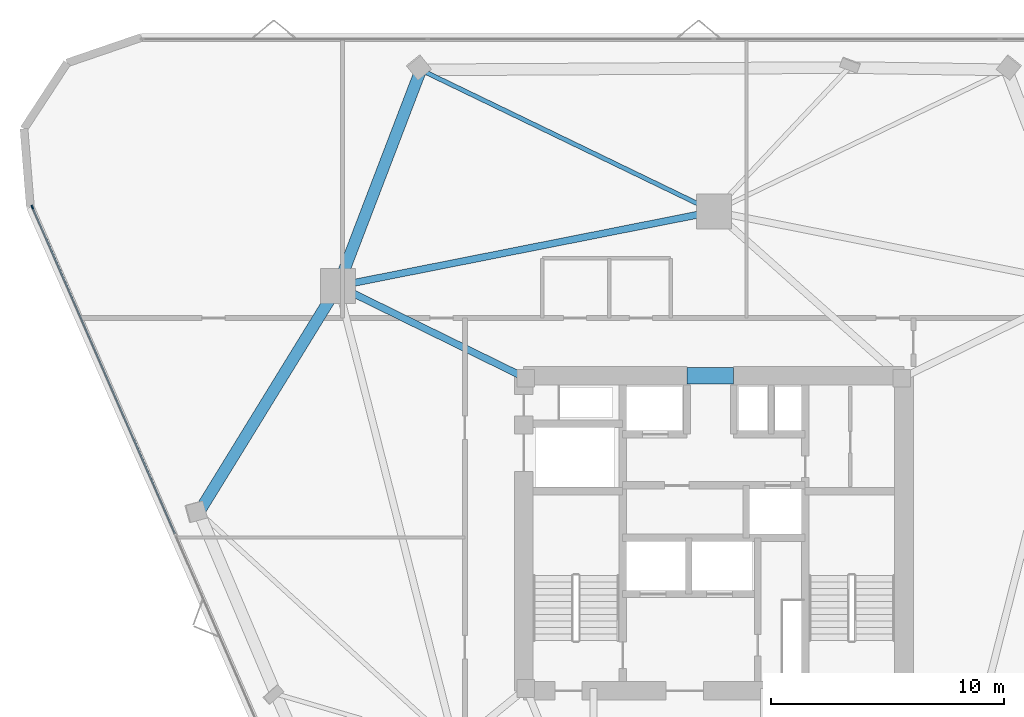
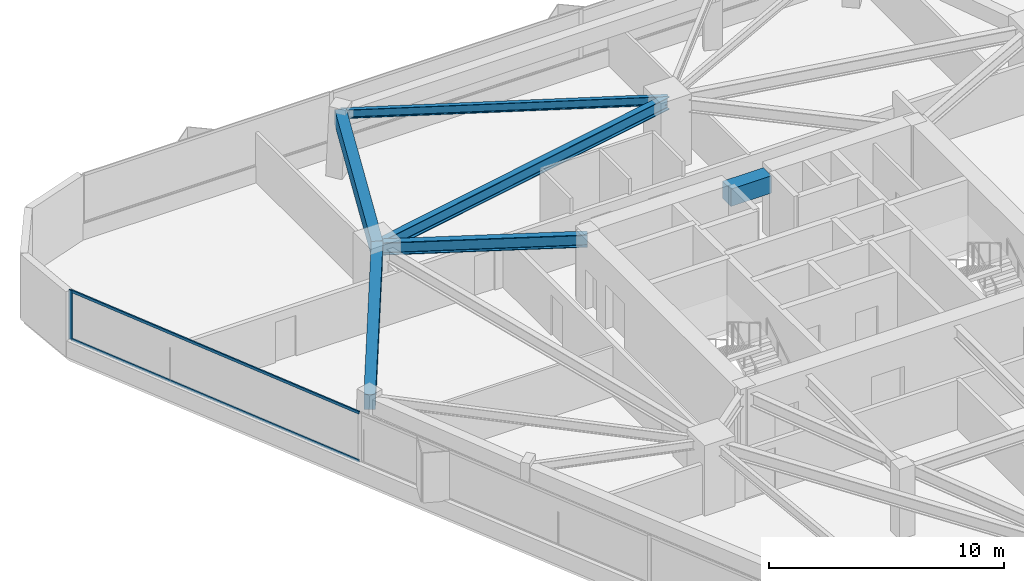
# One storey, part 5 of 14: 6 beams, 3 members, 1 element without a shape of its own.
"""IFC4 building model written with IfcOpenShell, lengths in metres."""

from ifc_helpers import new_model, si_unit, direction, frame, origin, origin_2d, place, context, subcontext, project, spatial, rectangle, i_section, extrude, material, layer, layer_set, material_profile, profile_set, type_object, element, aggregate, save


model = new_model("IFC4")

# Units and contexts
model_context = context("Model", 3, precision=1e-05, world=origin(), true_north=direction((0.0, 1.0)))
body_context = subcontext(model_context, "Body", "Model", "MODEL_VIEW")
ifc_project = project(units=[si_unit("LENGTHUNIT", "METRE"), si_unit("AREAUNIT", "SQUARE_METRE"), si_unit("VOLUMEUNIT", "CUBIC_METRE"), si_unit("PLANEANGLEUNIT", "RADIAN"), si_unit("MASSUNIT", "GRAM", prefix="KILO")], contexts=[model_context])

# Site, building, storey
site_placement = place(None, origin())
site = spatial("IfcSite", under=ifc_project, at=site_placement, CompositionType="ELEMENT")
building_placement = place(site_placement, origin())
building = spatial("IfcBuilding", under=site, at=building_placement, Name="Talyreon Biosciences Tower", CompositionType="ELEMENT")
storey_placement = place(building_placement, frame((0.0, 0.0, 130.85009765625)))
storey = spatial("IfcBuildingStorey", under=building, at=storey_placement, Name="L34", CompositionType="ELEMENT", Elevation=130.85009765625)

# Curtain wall, members
ifc_material_1 = material(Name="Thermally broken aluminium and low-E glazing", Category="aluminium")
ifc_layer = layer(ifc_material_1, 0.18505859375)
ifc_layer_set = layer_set([ifc_layer], Name="Thermally broken aluminium and low-E glazing")
curtain_wall_type = type_object("IfcCurtainWallType", Name="CurtainWall_Zone3Bioprocess", PredefinedType="NOTDEFINED", material=ifc_layer_set)
curtain_wall_placement = place(storey_placement, origin())
curtain_wall = element("IfcCurtainWall", 1, at=curtain_wall_placement, inside=storey, type_object=curtain_wall_type, Name="L34 Unitised Curtain Wall FCW-L34-00", PredefinedType="NOTDEFINED")
ifc_material_2 = material(Name="Anodised thermally broken aluminium", Category="aluminium")
ifc_material_profile_1 = material_profile(ifc_material_2, rectangle(XDim=0.06494140625, YDim=0.179931640625, at=origin_2d()), Name="ALUM MULLION 65x180")
ifc_profile_set_1 = profile_set([ifc_material_profile_1], Name="Anodised thermally broken aluminium")
member_type_1 = type_object("IfcMemberType", Name="CWMullion_65x180", PredefinedType="MULLION", material=ifc_profile_set_1)
member_1_placement = place(storey_placement, frame((36.797607421875, 81.974853515625, 0.809814453125), z_axis=(0.0, 0.0, 1.0), x_axis=(-0.916489607057, -0.400058495919, 0.0)))
member_1 = element("IfcMember", 2, at=member_1_placement, type_object=member_type_1, Name="CW4 mullion 5", PredefinedType="MULLION", context=body_context, shape_type="SweptSolid", body=[
    extrude(rectangle(XDim=0.06494140625, YDim=0.179931640625, at=origin_2d()), origin(), (0.0, 0.0, 1.0), 2.565185546875),
])
ifc_material_profile_2 = material_profile(ifc_material_2, rectangle(XDim=0.06494140625, YDim=0.139892578125, at=origin_2d()), Name="ALUM TRANSOM 65x140")
ifc_profile_set_2 = profile_set([ifc_material_profile_2], Name="Anodised thermally broken aluminium")
member_type_2 = type_object("IfcMemberType", Name="CWTransom_65x140", PredefinedType="USERDEFINED", material=ifc_profile_set_2)
member_2_placement = place(storey_placement, frame((42.90234375, 67.989501953125, 0.84228515625), z_axis=(-0.400060037809, 0.916488934002, 0.0), x_axis=(-0.916488934002, -0.400060037809, 0.0)))
member_2 = element("IfcMember", 3, at=member_2_placement, type_object=member_type_2, Name="CW4 transom 4.1", ObjectType="TRANSOM", PredefinedType="USERDEFINED", context=body_context, shape_type="SweptSolid", body=[
    extrude(rectangle(XDim=0.06494140625, YDim=0.139892578125, at=origin_2d()), origin(), (0.0, 0.0, 1.0), 15.227294921875),
])
member_3_placement = place(storey_placement, frame((42.90234375, 67.989501953125, 3.34228515625), z_axis=(-0.400060037809, 0.916488934002, 0.0), x_axis=(-0.916488934002, -0.400060037809, 0.0)))
member_3 = element("IfcMember", 4, at=member_3_placement, type_object=member_type_2, Name="CW4 transom 4.2", ObjectType="TRANSOM", PredefinedType="USERDEFINED", context=body_context, shape_type="SweptSolid", body=[
    extrude(rectangle(XDim=0.06494140625, YDim=0.139892578125, at=origin_2d()), origin(), (0.0, 0.0, 1.0), 15.227294921875),
])
aggregate(curtain_wall, [member_1, member_2, member_3])

# Beams
ifc_material_3 = material(Name="Concrete C60/75", Category="concrete")
ifc_material_profile_3 = material_profile(ifc_material_3, rectangle(XDim=0.699951171875, YDim=0.89990234375, at=origin_2d()), Name="RCB 700x900")
ifc_profile_set_3 = profile_set([ifc_material_profile_3], Name="Concrete C60/75")
beam_type_1 = type_object("IfcBeamType", Name="CoreCouplingLintel_700x900", PredefinedType="LINTEL", material=ifc_profile_set_3)
beam_1_placement = place(storey_placement, frame((64.85009765625, 74.75, 2.9248046875), z_axis=(1.0, 0.0, 0.0), x_axis=(0.0, 1.0, 0.0)))
element("IfcBeam", 5, at=beam_1_placement, inside=storey, type_object=beam_type_1, Name="L34 Core Coupling Lintel", PredefinedType="LINTEL", context=body_context, shape_type="SweptSolid", body=[
    extrude(rectangle(XDim=0.699951171875, YDim=0.89990234375, at=origin_2d()), origin(), (0.0, 0.0, 1.0), 2.0),
])
ifc_material_4 = material(Name="Precast concrete C45/55", Category="concrete")
ifc_material_profile_4 = material_profile(ifc_material_4, rectangle(XDim=0.5, YDim=0.780029296875, at=origin_2d()), Name="RCB 500x780")
ifc_profile_set_4 = profile_set([ifc_material_profile_4], Name="Precast concrete C45/55")
beam_type_2 = type_object("IfcBeamType", Name="ExpressedSpandrel_500x780", PredefinedType="SPANDREL", material=ifc_profile_set_4)
beam_2_placement = place(storey_placement, frame((53.444091796875, 87.8583984375, 2.98486328125), z_axis=(-0.357655490043, -0.933853602254, 0.0), x_axis=(0.933853602254, -0.357655490043, 0.0)))
element("IfcBeam", 6, at=beam_2_placement, inside=storey, type_object=beam_type_2, Name="L34 Expressed Horizontal Concrete Spandrel 08", PredefinedType="SPANDREL", context=body_context, shape_type="SweptSolid", body=[
    extrude(rectangle(XDim=0.5, YDim=0.780029296875, at=origin_2d()), origin(), (0.0, 0.0, 1.0), 9.915771484375),
])
beam_3_placement = place(storey_placement, frame((49.897705078125, 78.5986328125, 2.98486328125), z_axis=(-0.523928596136, -0.85176218873, 0.0), x_axis=(0.85176218873, -0.523928596136, 0.0)))
element("IfcBeam", 7, at=beam_3_placement, inside=storey, type_object=beam_type_2, Name="L34 Expressed Horizontal Concrete Spandrel 09", PredefinedType="SPANDREL", context=body_context, shape_type="SweptSolid", body=[
    extrude(rectangle(XDim=0.5, YDim=0.780029296875, at=origin_2d()), origin(), (0.0, 0.0, 1.0), 11.376953125),
])
ifc_material_5 = material(Name="Steel SM355", Category="steel")
ifc_material_profile_5 = material_profile(ifc_material_5, i_section(OverallWidth=0.300048828125, OverallDepth=0.64990234375, WebThickness=0.01611328125, FlangeThickness=0.031005859375, FilletRadius=0.027099609375, at=origin_2d()), Name="HE650B")
ifc_profile_set_5 = profile_set([ifc_material_profile_5], Name="Steel SM355")
beam_type_3 = type_object("IfcBeamType", Name="SteelBeam_HE650B", PredefinedType="BEAM", material=ifc_profile_set_5)
beam_4_placement = place(storey_placement, frame((66.0, 81.788818359375, 3.0498046875), z_axis=(-0.980933730698, -0.194342522311, 0.0), x_axis=(0.194342522311, -0.980933730698, 0.0)))
element("IfcBeam", 8, at=beam_4_placement, inside=storey, type_object=beam_type_3, Name="L34 Mega-Ring Girder 4", PredefinedType="BEAM", context=body_context, shape_type="SweptSolid", body=[
    extrude(i_section(OverallWidth=0.300048828125, OverallDepth=0.64990234375, WebThickness=0.01611328125, FlangeThickness=0.031005859375, FilletRadius=0.027099609375, at=origin_2d()), origin(), (0.0, 0.0, 1.0), 16.415283203125),
])
beam_5_placement = place(storey_placement, frame((57.949951171875, 74.64990234375, 3.0498046875), z_axis=(-0.897852360314, 0.440296648952, 0.0), x_axis=(-0.440296648952, -0.897852360314, 0.0)))
element("IfcBeam", 9, at=beam_5_placement, inside=storey, type_object=beam_type_3, Name="L34 Radial Primary Girder 5", PredefinedType="BEAM", context=body_context, shape_type="SweptSolid", body=[
    extrude(i_section(OverallWidth=0.300048828125, OverallDepth=0.64990234375, WebThickness=0.01611328125, FlangeThickness=0.031005859375, FilletRadius=0.027099609375, at=origin_2d()), origin(), (0.0, 0.0, 1.0), 8.96826171875),
])
ifc_material_profile_6 = material_profile(ifc_material_5, i_section(OverallWidth=0.18994140625, OverallDepth=0.449951171875, WebThickness=0.009521484375, FlangeThickness=0.0146484375, FilletRadius=0.02099609375, at=origin_2d()), Name="IPE450")
ifc_profile_set_6 = profile_set([ifc_material_profile_6], Name="Steel SM355")
beam_type_4 = type_object("IfcBeamType", Name="SteelJoist_IPE450", PredefinedType="JOIST", material=ifc_profile_set_6)
beam_6_placement = place(storey_placement, frame((66.0, 81.788818359375, 3.14990234375), z_axis=(-0.900323916095, 0.435220456903, 0.0), x_axis=(-0.435220456903, -0.900323916095, 0.0)))
element("IfcBeam", 10, at=beam_6_placement, inside=storey, type_object=beam_type_4, Name="L34 Radial Composite Floor Joist PC-N2", PredefinedType="JOIST", context=body_context, shape_type="SweptSolid", body=[
    extrude(i_section(OverallWidth=0.18994140625, OverallDepth=0.449951171875, WebThickness=0.009521484375, FlangeThickness=0.0146484375, FilletRadius=0.02099609375, at=origin_2d()), origin(), (0.0, 0.0, 1.0), 13.946044921875),
])

save(model, "model.ifc")
